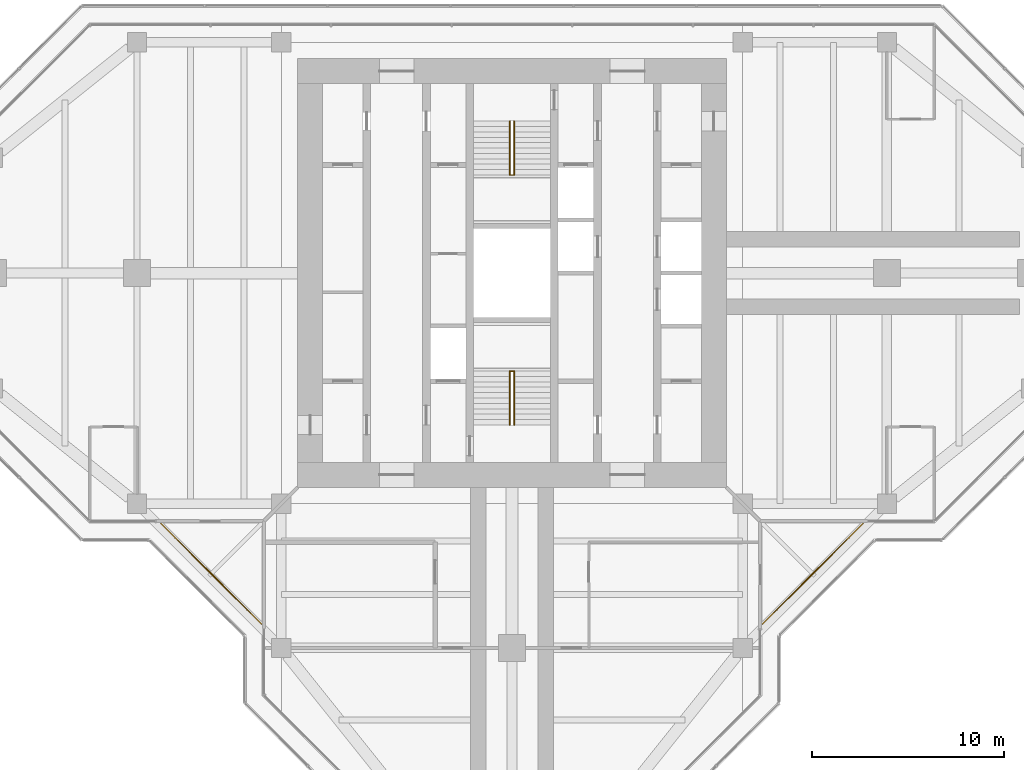
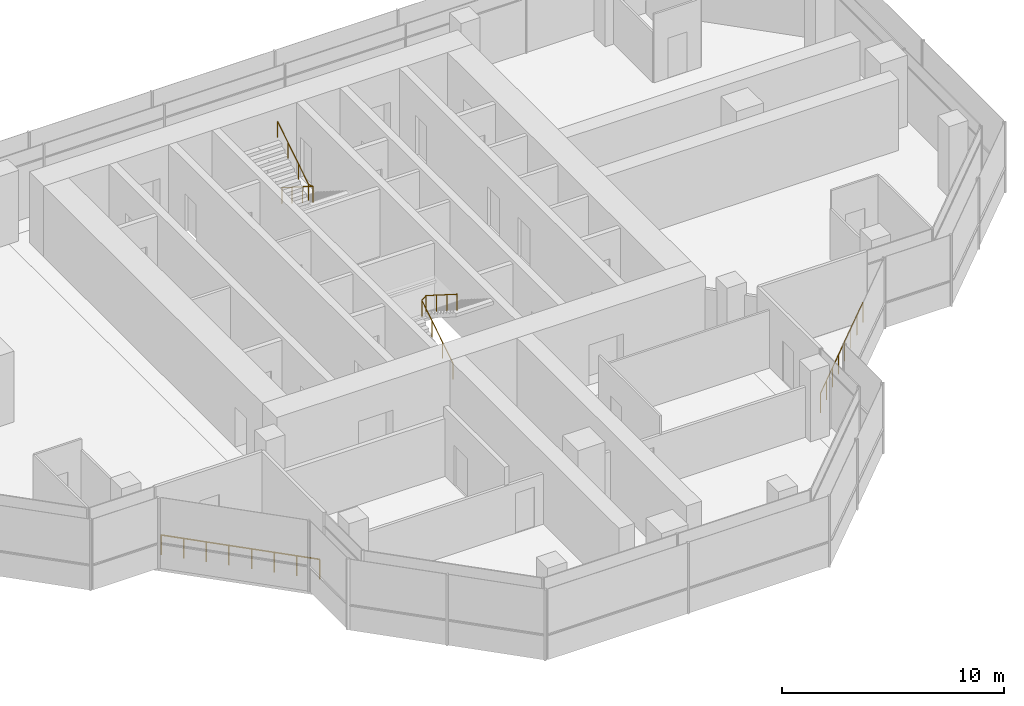
# One storey, part 15 of 15: 4 railings.
"""IFC4 building model written with IfcOpenShell, lengths in metres."""

from ifc_helpers import new_model, si_unit, direction, frame, origin, origin_2d, place, context, subcontext, project, spatial, circle, extrude, material, type_object, element, save


model = new_model("IFC4")

# Units and contexts
model_context = context("Model", 3, precision=1e-05, world=origin(), true_north=direction((0.0, 1.0)))
body_context = subcontext(model_context, "Body", "Model", "MODEL_VIEW")
ifc_project = project(units=[si_unit("LENGTHUNIT", "METRE"), si_unit("AREAUNIT", "SQUARE_METRE"), si_unit("VOLUMEUNIT", "CUBIC_METRE"), si_unit("PLANEANGLEUNIT", "RADIAN"), si_unit("MASSUNIT", "GRAM", prefix="KILO")], contexts=[model_context])

# Site, building, storey
site_placement = place(None, origin())
site = spatial("IfcSite", under=ifc_project, at=site_placement, CompositionType="ELEMENT")
building_placement = place(site_placement, origin())
building = spatial("IfcBuilding", under=site, at=building_placement, Name="Mizan Broadcast Tower", CompositionType="ELEMENT")
storey_placement = place(building_placement, frame((0.0, 0.0, 279.0)))
storey = spatial("IfcBuildingStorey", under=building, at=storey_placement, Name="L66", CompositionType="ELEMENT", Elevation=279.0)

# Railings
ifc_material_1 = material(Name="Stainless steel and glass guard", Category="steel")
railing_type_1 = type_object("IfcRailingType", Name="GUARD 1100", PredefinedType="GUARDRAIL", material=ifc_material_1)
railing_1_placement = place(storey_placement, frame((-18.2578125, -13.030029296875, 0.0)))
element("IfcRailing", 1, at=railing_1_placement, inside=storey, type_object=railing_type_1, Name="Winter garden guard L66 W", PredefinedType="GUARDRAIL", context=body_context, shape_type="SweptSolid", body=[
    extrude(circle(Radius=0.02392578125, at=origin_2d()), frame((0.0, 0.0, 1.076171875), z_axis=(0.707106781187, -0.707106781187, 0.0), x_axis=(0.707106781187, 0.707106781187, 0.0)), (0.0, 0.0, 1.0), 7.393310546875),
    extrude(circle(Radius=0.02099609375, at=origin_2d()), origin(), (0.0, 0.0, 1.0), 1.052001953125),
    extrude(circle(Radius=0.02099609375, at=origin_2d()), frame((0.746826171875, -0.746826171875, 0.0)), (0.0, 0.0, 1.0), 1.052001953125),
    extrude(circle(Radius=0.02099609375, at=origin_2d()), frame((1.49365234375, -1.49365234375, 0.0)), (0.0, 0.0, 1.0), 1.052001953125),
    extrude(circle(Radius=0.02099609375, at=origin_2d()), frame((2.240478515625, -2.240478515625, 0.0)), (0.0, 0.0, 1.0), 1.052001953125),
    extrude(circle(Radius=0.02099609375, at=origin_2d()), frame((2.9873046875, -2.9873046875, 0.0)), (0.0, 0.0, 1.0), 1.052001953125),
    extrude(circle(Radius=0.02099609375, at=origin_2d()), frame((3.734130859375, -3.734130859375, 0.0)), (0.0, 0.0, 1.0), 1.052001953125),
    extrude(circle(Radius=0.02099609375, at=origin_2d()), frame((4.48095703125, -4.48095703125, 0.0)), (0.0, 0.0, 1.0), 1.052001953125),
    extrude(circle(Radius=0.02099609375, at=origin_2d()), frame((5.227783203125, -5.227783203125, 0.0)), (0.0, 0.0, 1.0), 1.052001953125),
])
railing_2_placement = place(storey_placement, frame((13.030029296875, -18.2578125, 0.0)))
element("IfcRailing", 2, at=railing_2_placement, inside=storey, type_object=railing_type_1, Name="Winter garden guard L66 S", PredefinedType="GUARDRAIL", context=body_context, shape_type="SweptSolid", body=[
    extrude(circle(Radius=0.02392578125, at=origin_2d()), frame((0.0, 0.0, 1.076171875), z_axis=(0.707106781187, 0.707106781187, 0.0), x_axis=(-0.707106781187, 0.707106781187, 0.0)), (0.0, 0.0, 1.0), 7.393310546875),
    extrude(circle(Radius=0.02099609375, at=origin_2d()), origin(), (0.0, 0.0, 1.0), 1.052001953125),
    extrude(circle(Radius=0.02099609375, at=origin_2d()), frame((0.746826171875, 0.746826171875, 0.0)), (0.0, 0.0, 1.0), 1.052001953125),
    extrude(circle(Radius=0.02099609375, at=origin_2d()), frame((1.49365234375, 1.49365234375, 0.0)), (0.0, 0.0, 1.0), 1.052001953125),
    extrude(circle(Radius=0.02099609375, at=origin_2d()), frame((2.240478515625, 2.240478515625, 0.0)), (0.0, 0.0, 1.0), 1.052001953125),
    extrude(circle(Radius=0.02099609375, at=origin_2d()), frame((2.9873046875, 2.9873046875, 0.0)), (0.0, 0.0, 1.0), 1.052001953125),
    extrude(circle(Radius=0.02099609375, at=origin_2d()), frame((3.734130859375, 3.734130859375, 0.0)), (0.0, 0.0, 1.0), 1.052001953125),
    extrude(circle(Radius=0.02099609375, at=origin_2d()), frame((4.48095703125, 4.48095703125, 0.0)), (0.0, 0.0, 1.0), 1.052001953125),
    extrude(circle(Radius=0.02099609375, at=origin_2d()), frame((5.227783203125, 5.227783203125, 0.0)), (0.0, 0.0, 1.0), 1.052001953125),
])
ifc_material_2 = material(Name="Stainless steel", Category="steel")
railing_type_2 = type_object("IfcRailingType", Name="HANDRAIL 50", PredefinedType="HANDRAIL", material=ifc_material_2)
railing_3_placement = place(storey_placement, frame((-0.110107421875, -7.89990234375, 0.17724609375)))
element("IfcRailing", 3, at=railing_3_placement, inside=storey, type_object=railing_type_2, Name="Stair A handrail", PredefinedType="HANDRAIL", context=body_context, shape_type="SweptSolid", body=[
    extrude(circle(Radius=0.02392578125, at=origin_2d()), frame((0.0, 0.0, 0.8759765625), z_axis=(0.0, 0.844887892834, 0.53494340686), x_axis=(-1.0, 0.0, 0.0)), (0.0, 0.0, 1.0), 3.313720703125),
    extrude(circle(Radius=0.02392578125, at=origin_2d()), frame((0.0, 2.7998046875, 2.6484375), z_axis=(0.779011685263, 0.0, 0.627009405212), x_axis=(0.0, 1.0, 0.0)), (0.0, 0.0, 1.0), 0.28271484375),
    extrude(circle(Radius=0.02392578125, at=origin_2d()), frame((0.22021484375, 2.7998046875, 2.82568359375), z_axis=(0.0, -0.844887892834, 0.53494340686), x_axis=(1.0, 0.0, 0.0)), (0.0, 0.0, 1.0), 3.313720703125),
    extrude(circle(Radius=0.02099609375, at=origin_2d()), origin(), (0.0, 0.0, 1.0), 0.851806640625),
    extrude(circle(Radius=0.02099609375, at=origin_2d()), frame((0.0, 0.933349609375, 0.5908203125)), (0.0, 0.0, 1.0), 0.851806640625),
    extrude(circle(Radius=0.02099609375, at=origin_2d()), frame((0.0, 1.866455078125, 1.181884765625)), (0.0, 0.0, 1.0), 0.851806640625),
    extrude(circle(Radius=0.02099609375, at=origin_2d()), frame((0.0, 2.7998046875, 1.772705078125)), (0.0, 0.0, 1.0), 0.851806640625),
    extrude(circle(Radius=0.02099609375, at=origin_2d()), frame((0.22021484375, 2.7998046875, 1.949951171875)), (0.0, 0.0, 1.0), 0.851806640625),
    extrude(circle(Radius=0.02099609375, at=origin_2d()), frame((0.22021484375, 1.866455078125, 2.540771484375)), (0.0, 0.0, 1.0), 0.851806640625),
    extrude(circle(Radius=0.02099609375, at=origin_2d()), frame((0.22021484375, 0.933349609375, 3.1318359375)), (0.0, 0.0, 1.0), 0.851806640625),
    extrude(circle(Radius=0.02099609375, at=origin_2d()), frame((0.22021484375, 0.0, 3.72265625)), (0.0, 0.0, 1.0), 0.851806640625),
])
railing_4_placement = place(storey_placement, frame((0.110107421875, 7.89990234375, 0.17724609375)))
element("IfcRailing", 4, at=railing_4_placement, inside=storey, type_object=railing_type_2, Name="Stair B handrail", PredefinedType="HANDRAIL", context=body_context, shape_type="SweptSolid", body=[
    extrude(circle(Radius=0.02392578125, at=origin_2d()), frame((0.0, 0.0, 0.8759765625), z_axis=(0.0, -0.844887892834, 0.53494340686), x_axis=(1.0, 0.0, 0.0)), (0.0, 0.0, 1.0), 3.313720703125),
    extrude(circle(Radius=0.02392578125, at=origin_2d()), frame((0.0, -2.7998046875, 2.6484375), z_axis=(-0.779011685263, 0.0, 0.627009405212), x_axis=(0.0, -1.0, 0.0)), (0.0, 0.0, 1.0), 0.28271484375),
    extrude(circle(Radius=0.02392578125, at=origin_2d()), frame((-0.22021484375, -2.7998046875, 2.82568359375), z_axis=(0.0, 0.844887892834, 0.53494340686), x_axis=(-1.0, 0.0, 0.0)), (0.0, 0.0, 1.0), 3.313720703125),
    extrude(circle(Radius=0.02099609375, at=origin_2d()), origin(), (0.0, 0.0, 1.0), 0.851806640625),
    extrude(circle(Radius=0.02099609375, at=origin_2d()), frame((0.0, -0.933349609375, 0.5908203125)), (0.0, 0.0, 1.0), 0.851806640625),
    extrude(circle(Radius=0.02099609375, at=origin_2d()), frame((0.0, -1.866455078125, 1.181884765625)), (0.0, 0.0, 1.0), 0.851806640625),
    extrude(circle(Radius=0.02099609375, at=origin_2d()), frame((0.0, -2.7998046875, 1.772705078125)), (0.0, 0.0, 1.0), 0.851806640625),
    extrude(circle(Radius=0.02099609375, at=origin_2d()), frame((-0.22021484375, -2.7998046875, 1.949951171875)), (0.0, 0.0, 1.0), 0.851806640625),
    extrude(circle(Radius=0.02099609375, at=origin_2d()), frame((-0.22021484375, -1.866455078125, 2.540771484375)), (0.0, 0.0, 1.0), 0.851806640625),
    extrude(circle(Radius=0.02099609375, at=origin_2d()), frame((-0.22021484375, -0.933349609375, 3.1318359375)), (0.0, 0.0, 1.0), 0.851806640625),
    extrude(circle(Radius=0.02099609375, at=origin_2d()), frame((-0.22021484375, 0.0, 3.72265625)), (0.0, 0.0, 1.0), 0.851806640625),
])

save(model, "model.ifc")
